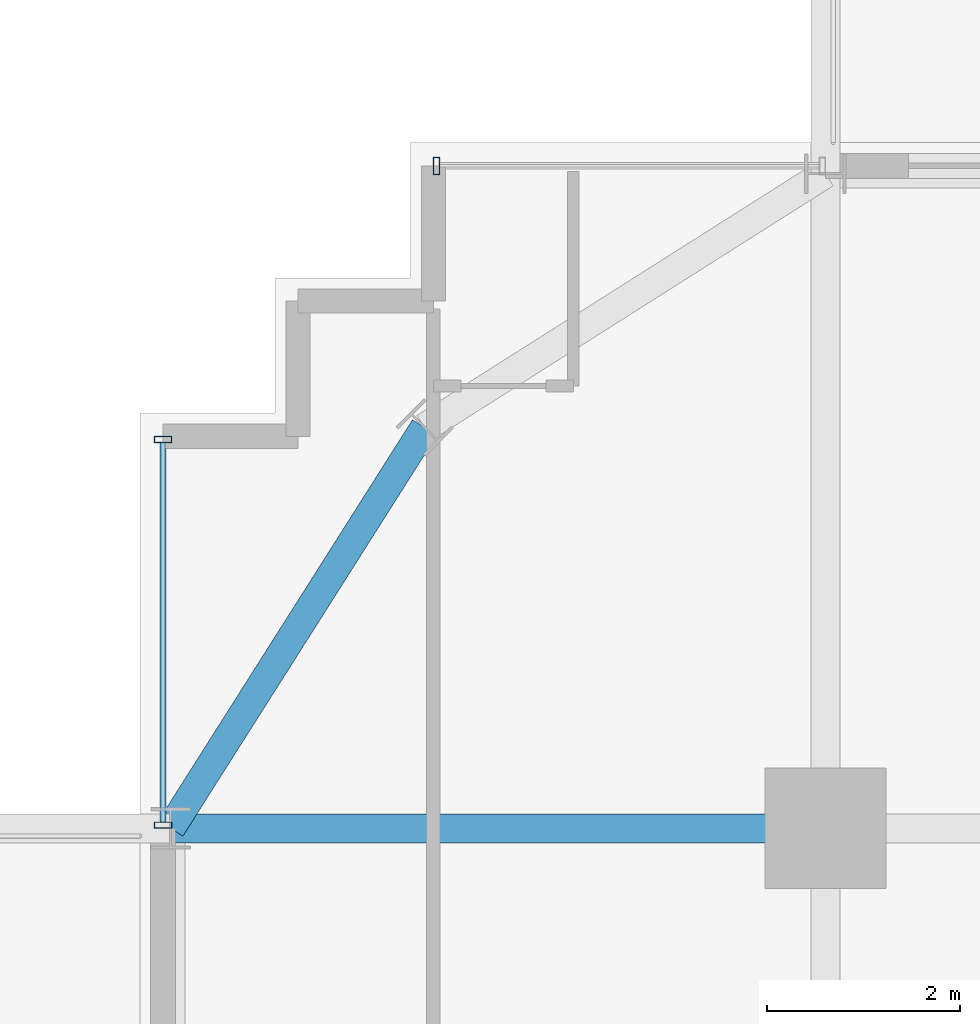
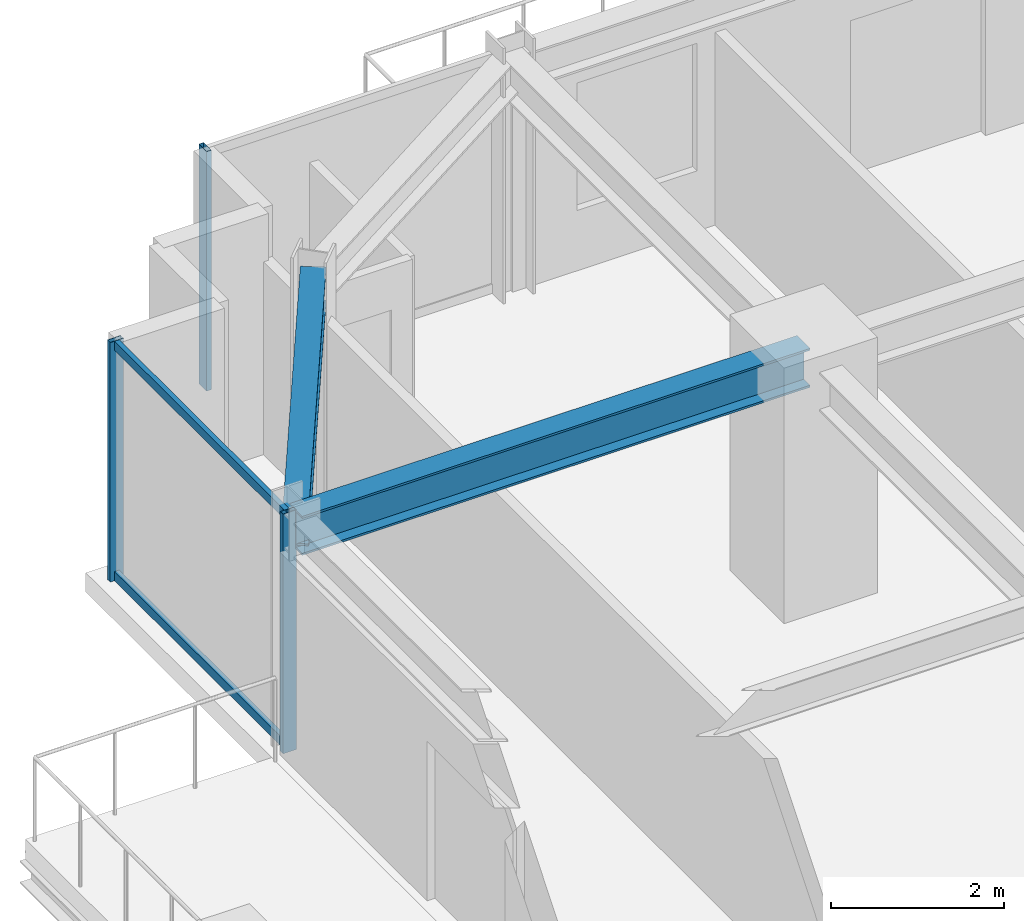
# One storey, part 18 of 35: 5 members, 2 beams, 2 elements without a shape of their own.
"""IFC4 building model written with IfcOpenShell, lengths in metres."""

from ifc_helpers import new_model, si_unit, direction, frame, origin, origin_2d, place, context, subcontext, project, spatial, hollow_rectangle, i_section, extrude, source, transform, mapped, material, material_profile, profile_set, type_object, element, aggregate, save


model = new_model("IFC4")

# Units and contexts
model_context = context("Model", 3, precision=1e-05, world=origin(), true_north=direction((0.0, 1.0)))
body_context = subcontext(model_context, "Body", "Model", "MODEL_VIEW")
ifc_project = project(units=[si_unit("LENGTHUNIT", "METRE"), si_unit("AREAUNIT", "SQUARE_METRE"), si_unit("VOLUMEUNIT", "CUBIC_METRE"), si_unit("PLANEANGLEUNIT", "RADIAN"), si_unit("MASSUNIT", "GRAM", prefix="KILO")], contexts=[model_context])

# Site, building, storey
site_placement = place(None, origin())
site = spatial("IfcSite", under=ifc_project, at=site_placement, CompositionType="ELEMENT")
building_placement = place(site_placement, origin())
building = spatial("IfcBuilding", under=site, at=building_placement, Name="Nahalor Promenade Grand Hotel", CompositionType="ELEMENT")
storey_placement = place(building_placement, frame((0.0, 0.0, 106.550048828125)))
storey = spatial("IfcBuildingStorey", under=building, at=storey_placement, Name="L26", CompositionType="ELEMENT", Elevation=106.550048828125)

# Beams
ifc_material_1 = material(Name="Steel S355JR", Category="steel")
ifc_material_profile_1 = material_profile(ifc_material_1, i_section(OverallWidth=0.3, OverallDepth=0.5, WebThickness=0.0145, FlangeThickness=0.028, at=origin_2d()), Name="HEB 500")
ifc_profile_set_1 = profile_set([ifc_material_profile_1], Name="Steel S355JR")
beam_type_1 = type_object("IfcBeamType", Name="Beam-Spandrel-HEB500", PredefinedType="SPANDREL", material=ifc_profile_set_1)
shared_shape_1 = source(origin(), body_context, "Body", "SweptSolid", [
    extrude(i_section(OverallWidth=0.3, OverallDepth=0.5, WebThickness=0.0145, FlangeThickness=0.028, at=origin_2d()), origin(), (0.0, 0.0, 1.0), 4.9130859375),
])
beam_1_placement = place(storey_placement, frame((-21.14990234375, 21.14990234375, 3.1298828125), z_axis=(-0.535321591403, -0.844648325505, 0.0), x_axis=(0.844648325505, -0.535321591403, 0.0)))
element("IfcBeam", 1, at=beam_1_placement, inside=storey, type_object=beam_type_1, Name="BM-L26-SPC-NW-2", PredefinedType="SPANDREL", context=body_context, shape_type="MappedRepresentation", body=[
    mapped(shared_shape_1, transform((0.0, 0.0, 0.0), scale=1.0)),
])
ifc_material_profile_2 = material_profile(ifc_material_1, i_section(OverallWidth=0.3, OverallDepth=0.55, WebThickness=0.015, FlangeThickness=0.029, at=origin_2d()), Name="HEB 550")
ifc_profile_set_2 = profile_set([ifc_material_profile_2], Name="Steel S355JR")
beam_type_2 = type_object("IfcBeamType", Name="Beam-Girder-HEB550", PredefinedType="BEAM", material=ifc_profile_set_2)
shared_shape_2 = source(origin(), body_context, "Body", "SweptSolid", [
    extrude(i_section(OverallWidth=0.3, OverallDepth=0.55, WebThickness=0.015, FlangeThickness=0.029, at=origin_2d()), origin(), (0.0, 0.0, 1.0), 6.780029296875),
])
beam_2_placement = place(storey_placement, frame((-23.780029296875, 17.0, 3.10498046875), z_axis=(1.0, 0.0, 0.0), x_axis=(0.0, 1.0, 0.0)))
element("IfcBeam", 2, at=beam_2_placement, inside=storey, type_object=beam_type_2, Name="BM-L26-GX-3-0", PredefinedType="BEAM", context=body_context, shape_type="MappedRepresentation", body=[
    mapped(shared_shape_2, transform((0.0, 0.0, 0.0), scale=1.0)),
])

# Curtain wall, member
ifc_material_2 = material(Name="Anodised Bronze Aluminium EN AW-6063 T6", Category="aluminium")
curtain_wall_type = type_object("IfcCurtainWallType", Name="CW2 Typical Hotel Flush Bronze Unitised Curtain Wall", PredefinedType="USERDEFINED", material=ifc_material_2)
curtain_wall_1_placement = place(storey_placement, origin())
curtain_wall_1 = element("IfcCurtainWall", 3, at=curtain_wall_1_placement, inside=storey, type_object=curtain_wall_type, Name="L26 Curtain Wall CW-L26-N-1", ObjectType="UNITISED_CURTAIN_WALL", PredefinedType="USERDEFINED")
ifc_material_profile_3 = material_profile(ifc_material_2, hollow_rectangle(XDim=0.065, YDim=0.18, WallThickness=0.004, at=origin_2d()), Name="CWM 65x180x4")
ifc_profile_set_3 = profile_set([ifc_material_profile_3], Name="Anodised Bronze Aluminium EN AW-6063 T6")
member_type_1 = type_object("IfcMemberType", Name="CWM2 Typical Bronze Mullion 65x180", PredefinedType="MULLION", material=ifc_profile_set_3)
shared_shape_3 = source(origin(), body_context, "Body", "SweptSolid", [
    extrude(hollow_rectangle(XDim=0.065, YDim=0.18, WallThickness=0.004, at=origin_2d()), origin(), (0.0, 0.0, 1.0), 3.3798828125),
])
member_1_placement = place(storey_placement, frame((-21.027587890625, 23.860107421875, 0.0), z_axis=(0.0, 0.0, 1.0), x_axis=(1.0, 0.0, 0.0)))
member_1 = element("IfcMember", 4, at=member_1_placement, type_object=member_type_1, Name="CW-L26-N-1 Mullion 0", PredefinedType="MULLION", context=body_context, shape_type="MappedRepresentation", body=[
    mapped(shared_shape_3, transform((0.0, 0.0, 0.0), scale=1.0)),
])
aggregate(curtain_wall_1, [member_1])

# Curtain wall, members
curtain_wall_2_placement = place(storey_placement, origin())
curtain_wall_2 = element("IfcCurtainWall", 5, at=curtain_wall_2_placement, inside=storey, type_object=curtain_wall_type, Name="L26 Curtain Wall CW-L26-W-3", ObjectType="UNITISED_CURTAIN_WALL", PredefinedType="USERDEFINED")
member_2_placement = place(storey_placement, frame((-23.860107421875, 17.032470703125, 0.0), z_axis=(0.0, 0.0, 1.0), x_axis=(0.0, 1.0, 0.0)))
member_2 = element("IfcMember", 6, at=member_2_placement, type_object=member_type_1, Name="CW-L26-W-3 Mullion 0", PredefinedType="MULLION", context=body_context, shape_type="MappedRepresentation", body=[
    mapped(shared_shape_3, transform((0.0, 0.0, 0.0), scale=1.0)),
])
member_3_placement = place(storey_placement, frame((-23.860107421875, 21.027587890625, 0.0), z_axis=(0.0, 0.0, 1.0), x_axis=(0.0, 1.0, 0.0)))
member_3 = element("IfcMember", 7, at=member_3_placement, type_object=member_type_1, Name="CW-L26-W-3 Mullion 1", PredefinedType="MULLION", context=body_context, shape_type="MappedRepresentation", body=[
    mapped(shared_shape_3, transform((0.0, 0.0, 0.0), scale=1.0)),
])
ifc_material_profile_4 = material_profile(ifc_material_2, hollow_rectangle(XDim=0.065, YDim=0.13, WallThickness=0.004, at=origin_2d()), Name="CWT 65x130x4")
ifc_profile_set_4 = profile_set([ifc_material_profile_4], Name="Anodised Bronze Aluminium EN AW-6063 T6")
member_type_2 = type_object("IfcMemberType", Name="CWT2 Typical Bronze Transom 65x130", PredefinedType="USERDEFINED", material=ifc_profile_set_4)
shared_shape_4 = source(origin(), body_context, "Body", "SweptSolid", [
    extrude(hollow_rectangle(XDim=0.065, YDim=0.13, WallThickness=0.004, at=origin_2d()), origin(), (0.0, 0.0, 1.0), 3.93017578125),
])
member_4_placement = place(storey_placement, frame((-23.860107421875, 17.06494140625, 0.06494140625), z_axis=(0.0, 1.0, 0.0), x_axis=(-1.0, 0.0, 0.0)))
member_4 = element("IfcMember", 8, at=member_4_placement, type_object=member_type_2, Name="CW-L26-W-3 Transom 0-0", ObjectType="TRANSOM", PredefinedType="USERDEFINED", context=body_context, shape_type="MappedRepresentation", body=[
    mapped(shared_shape_4, transform((0.0, 0.0, 0.0), scale=1.0)),
])
member_5_placement = place(storey_placement, frame((-23.860107421875, 17.06494140625, 3.31494140625), z_axis=(0.0, 1.0, 0.0), x_axis=(-1.0, 0.0, 0.0)))
member_5 = element("IfcMember", 9, at=member_5_placement, type_object=member_type_2, Name="CW-L26-W-3 Transom 0-1", ObjectType="TRANSOM", PredefinedType="USERDEFINED", context=body_context, shape_type="MappedRepresentation", body=[
    mapped(shared_shape_4, transform((0.0, 0.0, 0.0), scale=1.0)),
])
aggregate(curtain_wall_2, [member_2, member_3, member_4, member_5])

save(model, "model.ifc")
